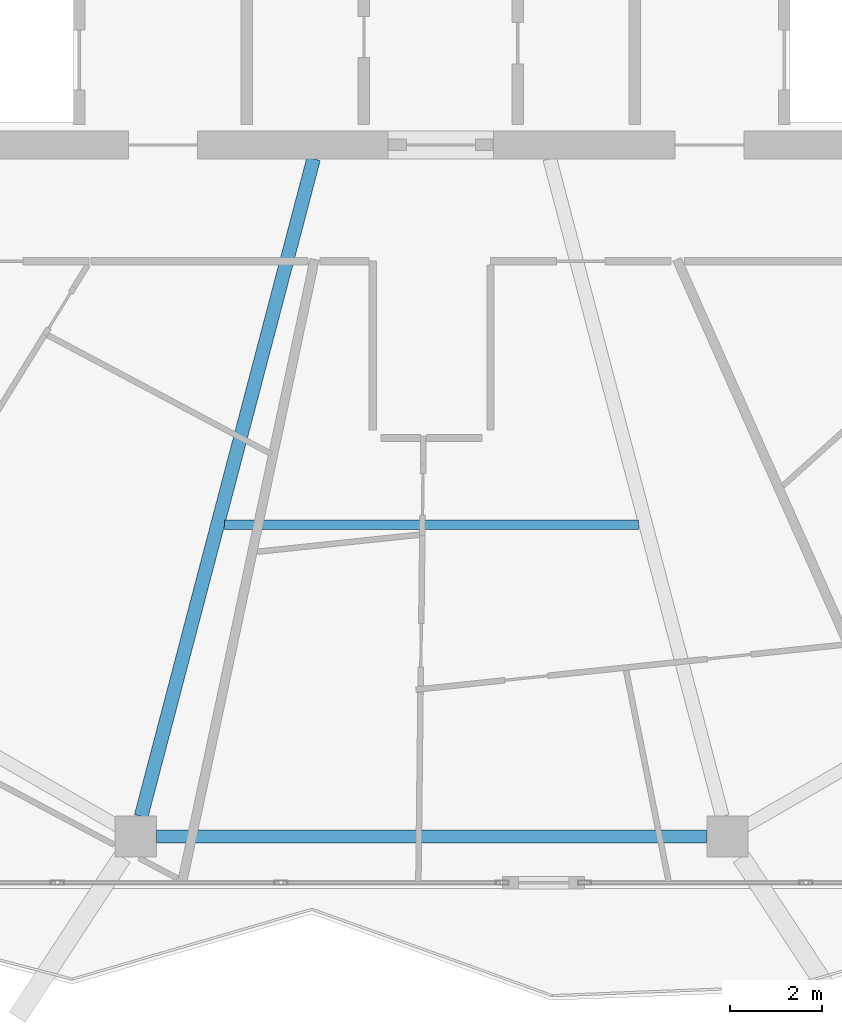
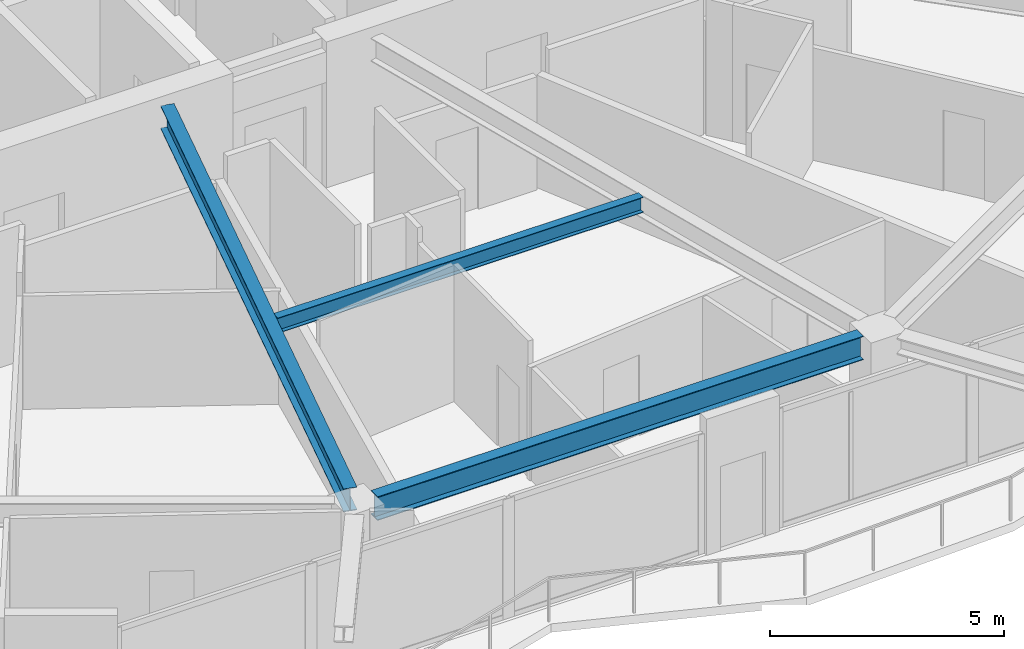
# One storey, part 4 of 26: 3 beams.
"""IFC4 building model written with IfcOpenShell, lengths in metres."""

from ifc_helpers import new_model, si_unit, direction, frame, origin, origin_2d, place, context, subcontext, project, spatial, i_section, extrude, material, material_profile, profile_set, type_object, element, save


model = new_model("IFC4")

# Units and contexts
model_context = context("Model", 3, precision=1e-05, world=origin(), true_north=direction((0.0, 1.0)))
body_context = subcontext(model_context, "Body", "Model", "MODEL_VIEW")
ifc_project = project(units=[si_unit("LENGTHUNIT", "METRE"), si_unit("AREAUNIT", "SQUARE_METRE"), si_unit("VOLUMEUNIT", "CUBIC_METRE"), si_unit("PLANEANGLEUNIT", "RADIAN"), si_unit("MASSUNIT", "GRAM", prefix="KILO")], contexts=[model_context])

# Site, building, storey
site_placement = place(None, origin())
site = spatial("IfcSite", under=ifc_project, at=site_placement, CompositionType="ELEMENT")
building_placement = place(site_placement, origin())
building = spatial("IfcBuilding", under=site, at=building_placement, Name="Zuhravey Tower", CompositionType="ELEMENT")
storey_placement = place(building_placement, frame((0.0, 0.0, 242.60009765625)))
storey = spatial("IfcBuildingStorey", under=building, at=storey_placement, Name="L61", CompositionType="ELEMENT", Elevation=242.60009765625)

# Beams
ifc_material = material(Name="Steel SM355", Category="steel")
ifc_material_profile_1 = material_profile(ifc_material, i_section(OverallWidth=0.280029296875, OverallDepth=0.6201171875, WebThickness=0.011962890625, FlangeThickness=0.02001953125, at=origin_2d()), Name="H-620x280x12x20")
ifc_profile_set_1 = profile_set([ifc_material_profile_1], Name="Steel SM355")
beam_type_1 = type_object("IfcBeamType", Name="Perimeter Ring Beam H620x280", PredefinedType="BEAM", material=ifc_profile_set_1)
beam_1_placement = place(storey_placement, frame((30.01220703125, 7.4462890625, 3.239990234375), z_axis=(1.0, 0.0, 0.0), x_axis=(0.0, 1.0, 0.0)))
element("IfcBeam", 1, at=beam_1_placement, inside=storey, type_object=beam_type_1, Name="L61 PB3 BM-L61-PB-09", PredefinedType="BEAM", context=body_context, shape_type="SweptSolid", body=[
    extrude(i_section(OverallWidth=0.280029296875, OverallDepth=0.6201171875, WebThickness=0.011962890625, FlangeThickness=0.02001953125, at=origin_2d()), origin(), (0.0, 0.0, 1.0), 11.9755859375),
])
ifc_material_profile_2 = material_profile(ifc_material, i_section(OverallWidth=0.300048828125, OverallDepth=0.60009765625, WebThickness=0.011962890625, FlangeThickness=0.02001953125, at=origin_2d()), Name="H-600x300x12x20")
ifc_profile_set_2 = profile_set([ifc_material_profile_2], Name="Steel SM355")
beam_type_2 = type_object("IfcBeamType", Name="Radial Primary Girder H600x300", PredefinedType="BEAM", material=ifc_profile_set_2)
beam_2_placement = place(storey_placement, frame((33.428466796875, 22.197021484375, 3.25), z_axis=(-0.253731415841, -0.967274712073, 0.0), x_axis=(0.967274712073, -0.253731415841, 0.0)))
element("IfcBeam", 2, at=beam_2_placement, inside=storey, type_object=beam_type_2, Name="L61 RG3 BM-L61-RAD-09", PredefinedType="BEAM", context=body_context, shape_type="SweptSolid", body=[
    extrude(i_section(OverallWidth=0.300048828125, OverallDepth=0.60009765625, WebThickness=0.011962890625, FlangeThickness=0.02001953125, at=origin_2d()), origin(), (0.0, 0.0, 1.0), 14.796630859375),
])
ifc_material_profile_3 = material_profile(ifc_material, i_section(OverallWidth=0.199951171875, OverallDepth=0.39990234375, WebThickness=0.008056640625, FlangeThickness=0.012939453125, at=origin_2d()), Name="H-400x200x8x13")
ifc_profile_set_3 = profile_set([ifc_material_profile_3], Name="Steel SM355")
beam_type_3 = type_object("IfcBeamType", Name="Secondary Floor Joist H400x200", PredefinedType="JOIST", material=ifc_profile_set_3)
beam_3_placement = place(storey_placement, frame((31.492919921875, 14.231689453125, 3.349853515625), z_axis=(1.0, 0.0, 0.0), x_axis=(0.0, 1.0, 0.0)))
element("IfcBeam", 3, at=beam_3_placement, inside=storey, type_object=beam_type_3, Name="L61 SJ2 BM-L61-SJ-09-1", PredefinedType="JOIST", context=body_context, shape_type="SweptSolid", body=[
    extrude(i_section(OverallWidth=0.199951171875, OverallDepth=0.39990234375, WebThickness=0.008056640625, FlangeThickness=0.012939453125, at=origin_2d()), origin(), (0.0, 0.0, 1.0), 9.01416015625),
])

save(model, "model.ifc")
